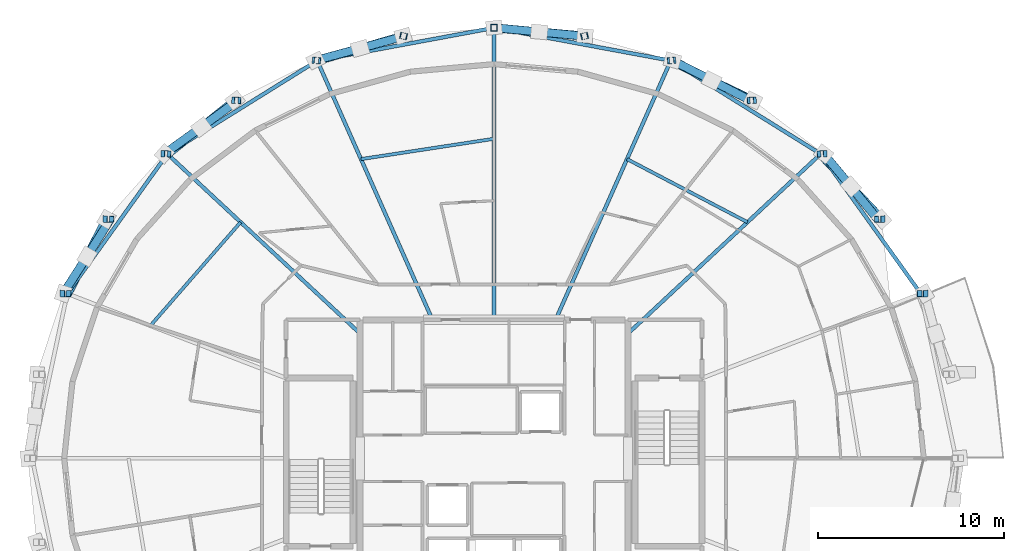
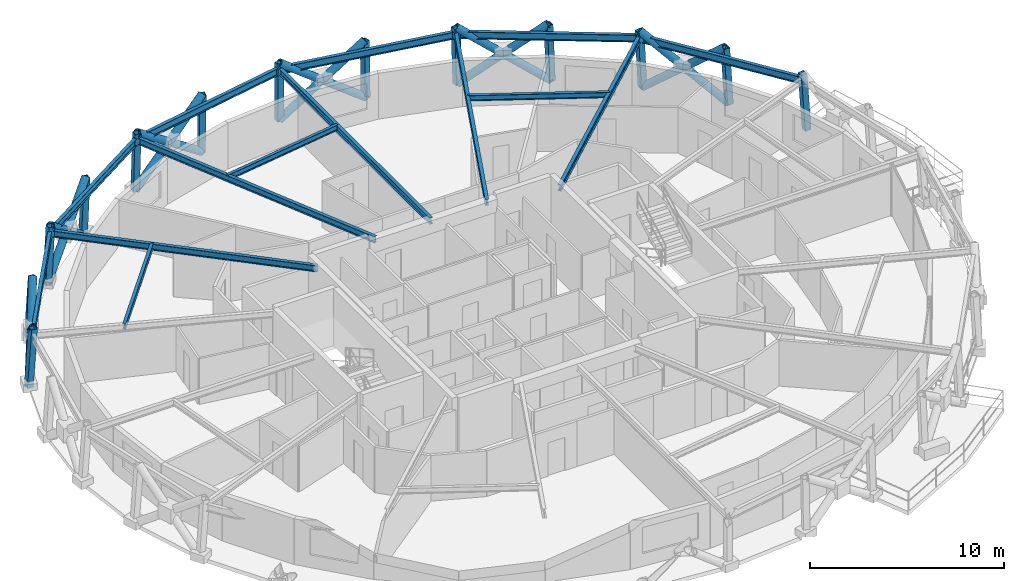
# One storey, part 5 of 12: 31 members, 14 beams.
"""IFC4 building model written with IfcOpenShell, lengths in metres."""

from ifc_helpers import new_model, si_unit, direction, frame, origin, origin_2d, place, context, subcontext, project, spatial, hollow_rectangle, hollow_circle, i_section, extrude, material, material_profile, profile_set, type_object, element, save


model = new_model("IFC4")

# Units and contexts
model_context = context("Model", 3, precision=1e-05, world=origin(), true_north=direction((0.0, 1.0)))
body_context = subcontext(model_context, "Body", "Model", "MODEL_VIEW")
ifc_project = project(units=[si_unit("LENGTHUNIT", "METRE"), si_unit("AREAUNIT", "SQUARE_METRE"), si_unit("VOLUMEUNIT", "CUBIC_METRE"), si_unit("PLANEANGLEUNIT", "RADIAN"), si_unit("MASSUNIT", "GRAM", prefix="KILO")], contexts=[model_context])

# Site, building, storey
site_placement = place(None, origin())
site = spatial("IfcSite", under=ifc_project, at=site_placement, CompositionType="ELEMENT")
building_placement = place(site_placement, origin())
building = spatial("IfcBuilding", under=site, at=building_placement, Name="Veldorina Hangang Commons", CompositionType="ELEMENT")
storey_placement = place(building_placement, frame((0.0, 0.0, 222.0)))
storey = spatial("IfcBuildingStorey", under=building, at=storey_placement, Name="L57", CompositionType="ELEMENT", Elevation=222.0)

# Beams
ifc_material = material(Name="Steel SM355-TMC", Category="steel")
ifc_material_profile_1 = material_profile(ifc_material, i_section(OverallWidth=0.199951171875, OverallDepth=0.39990234375, WebThickness=0.008056640625, FlangeThickness=0.012939453125, FilletRadius=0.012939453125, at=origin_2d()), Name="H-400x200x8x13")
ifc_profile_set_1 = profile_set([ifc_material_profile_1], Name="Steel SM355-TMC")
beam_type_1 = type_object("IfcBeamType", Name="BM-FG400", PredefinedType="BEAM", material=ifc_profile_set_1)
beam_1_placement = place(storey_placement, frame((39.199951171875, 30.709716796875, 3.159912109375), z_axis=(0.731569268762, 0.681767119333, 0.0), x_axis=(-0.681767119333, 0.731569268762, 0.0)))
element("IfcBeam", 1, at=beam_1_placement, inside=storey, type_object=beam_type_1, Name="L57 radial floor girder 03", PredefinedType="BEAM", context=body_context, shape_type="SweptSolid", body=[
    extrude(i_section(OverallWidth=0.199951171875, OverallDepth=0.39990234375, WebThickness=0.008056640625, FlangeThickness=0.012939453125, FilletRadius=0.012939453125, at=origin_2d()), origin(), (0.0, 0.0, 1.0), 14.16259765625),
])
beam_2_placement = place(storey_placement, frame((35.311279296875, 31.449951171875, 3.159912109375), z_axis=(0.406169666398, 0.913797681162, 0.0), x_axis=(-0.913797681162, 0.406169666398, 0.0)))
element("IfcBeam", 2, at=beam_2_placement, inside=storey, type_object=beam_type_1, Name="L57 radial floor girder 04", PredefinedType="BEAM", context=body_context, shape_type="SweptSolid", body=[
    extrude(i_section(OverallWidth=0.199951171875, OverallDepth=0.39990234375, WebThickness=0.008056640625, FlangeThickness=0.012939453125, FilletRadius=0.012939453125, at=origin_2d()), origin(), (0.0, 0.0, 1.0), 15.246337890625),
])
beam_3_placement = place(storey_placement, frame((32.0, 31.449951171875, 3.159912109375), z_axis=(0.0, 1.0, 0.0), x_axis=(-1.0, 0.0, 0.0)))
element("IfcBeam", 3, at=beam_3_placement, inside=storey, type_object=beam_type_1, Name="L57 radial floor girder 05", PredefinedType="BEAM", context=body_context, shape_type="SweptSolid", body=[
    extrude(i_section(OverallWidth=0.199951171875, OverallDepth=0.39990234375, WebThickness=0.008056640625, FlangeThickness=0.012939453125, FilletRadius=0.012939453125, at=origin_2d()), origin(), (0.0, 0.0, 1.0), 15.694091796875),
])
beam_4_placement = place(storey_placement, frame((28.688720703125, 31.449951171875, 3.159912109375), z_axis=(-0.406169666398, 0.913797681162, 0.0), x_axis=(-0.913797681162, -0.406169666398, 0.0)))
element("IfcBeam", 4, at=beam_4_placement, inside=storey, type_object=beam_type_1, Name="L57 radial floor girder 06", PredefinedType="BEAM", context=body_context, shape_type="SweptSolid", body=[
    extrude(i_section(OverallWidth=0.199951171875, OverallDepth=0.39990234375, WebThickness=0.008056640625, FlangeThickness=0.012939453125, FilletRadius=0.012939453125, at=origin_2d()), origin(), (0.0, 0.0, 1.0), 15.246337890625),
])
beam_5_placement = place(storey_placement, frame((24.800048828125, 30.709716796875, 3.159912109375), z_axis=(-0.731569268762, 0.681767119333, 0.0), x_axis=(-0.681767119333, -0.731569268762, 0.0)))
element("IfcBeam", 5, at=beam_5_placement, inside=storey, type_object=beam_type_1, Name="L57 radial floor girder 07", PredefinedType="BEAM", context=body_context, shape_type="SweptSolid", body=[
    extrude(i_section(OverallWidth=0.199951171875, OverallDepth=0.39990234375, WebThickness=0.008056640625, FlangeThickness=0.012939453125, FilletRadius=0.012939453125, at=origin_2d()), origin(), (0.0, 0.0, 1.0), 14.16259765625),
])
ifc_material_profile_2 = material_profile(ifc_material, i_section(OverallWidth=0.175048828125, OverallDepth=0.35009765625, WebThickness=0.007080078125, FlangeThickness=0.010986328125, FilletRadius=0.012939453125, at=origin_2d()), Name="H-350x175x7x11")
ifc_profile_set_2 = profile_set([ifc_material_profile_2], Name="Steel SM355-TMC")
beam_type_2 = type_object("IfcBeamType", Name="BM-JST350", PredefinedType="JOIST", material=ifc_profile_set_2)
beam_6_placement = place(storey_placement, frame((45.623779296875, 36.696044921875, 3.18505859375), z_axis=(-0.885759595301, 0.464144308736, 0.0), x_axis=(-0.464144308736, -0.885759595301, 0.0)))
element("IfcBeam", 6, at=beam_6_placement, inside=storey, type_object=beam_type_2, Name="L57 secondary floor joist 03", PredefinedType="JOIST", context=body_context, shape_type="SweptSolid", body=[
    extrude(i_section(OverallWidth=0.175048828125, OverallDepth=0.35009765625, WebThickness=0.007080078125, FlangeThickness=0.010986328125, FilletRadius=0.012939453125, at=origin_2d()), origin(), (0.0, 0.0, 1.0), 7.307861328125),
])
beam_7_placement = place(storey_placement, frame((32.0, 41.180419921875, 3.18505859375), z_axis=(-0.988529182855, -0.151029979286, 0.0), x_axis=(0.151029979286, -0.988529182855, 0.0)))
element("IfcBeam", 7, at=beam_7_placement, inside=storey, type_object=beam_type_2, Name="L57 secondary floor joist 05", PredefinedType="JOIST", context=body_context, shape_type="SweptSolid", body=[
    extrude(i_section(OverallWidth=0.175048828125, OverallDepth=0.35009765625, WebThickness=0.007080078125, FlangeThickness=0.010986328125, FilletRadius=0.012939453125, at=origin_2d()), origin(), (0.0, 0.0, 1.0), 7.23388671875),
])
beam_8_placement = place(storey_placement, frame((18.376220703125, 36.696044921875, 3.18505859375), z_axis=(-0.657028228542, -0.753865974096, 0.0), x_axis=(0.753865974096, -0.657028228542, 0.0)))
element("IfcBeam", 8, at=beam_8_placement, inside=storey, type_object=beam_type_2, Name="L57 secondary floor joist 07", PredefinedType="JOIST", context=body_context, shape_type="SweptSolid", body=[
    extrude(i_section(OverallWidth=0.175048828125, OverallDepth=0.35009765625, WebThickness=0.007080078125, FlangeThickness=0.010986328125, FilletRadius=0.012939453125, at=origin_2d()), origin(), (0.0, 0.0, 1.0), 7.3818359375),
])
ifc_material_profile_3 = material_profile(ifc_material, i_section(OverallWidth=0.199951171875, OverallDepth=0.449951171875, WebThickness=0.009033203125, FlangeThickness=0.013916015625, FilletRadius=0.01611328125, at=origin_2d()), Name="H-450x200x9x14")
ifc_profile_set_3 = profile_set([ifc_material_profile_3], Name="Steel SM355-TMC")
beam_type_3 = type_object("IfcBeamType", Name="BM-RB450", PredefinedType="BEAM", material=ifc_profile_set_3)
beam_9_placement = place(storey_placement, frame((54.9443359375, 32.856689453125, 3.135009765625), z_axis=(-0.582692054183, 0.812693035526, 0.0), x_axis=(-0.812693035526, -0.582692054183, 0.0)))
element("IfcBeam", 9, at=beam_9_placement, inside=storey, type_object=beam_type_3, Name="L57 perimeter hoop ring beam 02", PredefinedType="BEAM", context=body_context, shape_type="SweptSolid", body=[
    extrude(i_section(OverallWidth=0.199951171875, OverallDepth=0.449951171875, WebThickness=0.009033203125, FlangeThickness=0.013916015625, FilletRadius=0.01611328125, at=origin_2d()), origin(), (0.0, 0.0, 1.0), 9.239013671875),
])
beam_10_placement = place(storey_placement, frame((49.560791015625, 40.365234375, 3.135009765625), z_axis=(-0.848882971547, 0.528580836408, 0.0), x_axis=(-0.528580836408, -0.848882971547, 0.0)))
element("IfcBeam", 10, at=beam_10_placement, inside=storey, type_object=beam_type_3, Name="L57 perimeter hoop ring beam 04", PredefinedType="BEAM", context=body_context, shape_type="SweptSolid", body=[
    extrude(i_section(OverallWidth=0.199951171875, OverallDepth=0.449951171875, WebThickness=0.009033203125, FlangeThickness=0.013916015625, FilletRadius=0.01611328125, at=origin_2d()), origin(), (0.0, 0.0, 1.0), 9.4912109375),
])
for number, where, z_axis, x_axis, name in (
    (11, (41.50390625, 45.382080078125, 3.135009765625), (-0.983245303916, 0.182287334524, 0.0), (-0.182287334524, -0.983245303916, 0.0), "L57 perimeter hoop ring beam 06"),
    (12, (32.0, 47.14404296875, 3.135009765625), (-0.983245303916, -0.182287334524, 0.0), (0.182287334524, -0.983245303916, 0.0), "L57 perimeter hoop ring beam 08"),
):
    element("IfcBeam", number, at=place(storey_placement, frame(where, z_axis=z_axis, x_axis=x_axis)), inside=storey, type_object=beam_type_3, Name=name, PredefinedType="BEAM", context=body_context, shape_type="SweptSolid", body=[
        extrude(i_section(OverallWidth=0.199951171875, OverallDepth=0.449951171875, WebThickness=0.009033203125, FlangeThickness=0.013916015625, FilletRadius=0.01611328125, at=origin_2d()), origin(), (0.0, 0.0, 1.0), 9.665771484375),
    ])
beam_11_placement = place(storey_placement, frame((22.49609375, 45.382080078125, 3.135009765625), z_axis=(-0.848882971547, -0.528580836408, 0.0), x_axis=(0.528580836408, -0.848882971547, 0.0)))
element("IfcBeam", 13, at=beam_11_placement, inside=storey, type_object=beam_type_3, Name="L57 perimeter hoop ring beam 10", PredefinedType="BEAM", context=body_context, shape_type="SweptSolid", body=[
    extrude(i_section(OverallWidth=0.199951171875, OverallDepth=0.449951171875, WebThickness=0.009033203125, FlangeThickness=0.013916015625, FilletRadius=0.01611328125, at=origin_2d()), origin(), (0.0, 0.0, 1.0), 9.4912109375),
])
beam_12_placement = place(storey_placement, frame((14.439208984375, 40.365234375, 3.135009765625), z_axis=(-0.582692054183, -0.812693035526, 0.0), x_axis=(0.812693035526, -0.582692054183, 0.0)))
element("IfcBeam", 14, at=beam_12_placement, inside=storey, type_object=beam_type_3, Name="L57 perimeter hoop ring beam 12", PredefinedType="BEAM", context=body_context, shape_type="SweptSolid", body=[
    extrude(i_section(OverallWidth=0.199951171875, OverallDepth=0.449951171875, WebThickness=0.009033203125, FlangeThickness=0.013916015625, FilletRadius=0.01611328125, at=origin_2d()), origin(), (0.0, 0.0, 1.0), 9.239013671875),
])

# Members
ifc_material_profile_4 = material_profile(ifc_material, hollow_circle(Radius=0.22509765625, WallThickness=0.02197265625, at=origin_2d()), Name="CHS-450x22")
ifc_profile_set_4 = profile_set([ifc_material_profile_4], Name="Steel SM355-TMC")
member_type_1 = type_object("IfcMemberType", Name="DG-CHS450", PredefinedType="BRACE", material=ifc_profile_set_4)
member_1_placement = place(storey_placement, frame((52.84130859375, 36.864013671875, 0.0), z_axis=(-0.549776819627, 0.582269539463, 0.598922058379), x_axis=(-0.727103165774, -0.686528212327, 0.0)))
element("IfcMember", 15, at=member_1_placement, inside=storey, type_object=member_type_1, Name="L57 continuous perimeter diagrid brace 03", PredefinedType="BRACE", context=body_context, shape_type="SweptSolid", body=[
    extrude(hollow_circle(Radius=0.22509765625, WallThickness=0.02197265625, at=origin_2d()), origin(), (0.0, 0.0, 1.0), 6.010986328125),
])
member_2_placement = place(storey_placement, frame((49.72412109375, 40.372802734375, 0.0), z_axis=(0.50197304647, -0.602904615065, 0.620104092673), x_axis=(0.768501715481, 0.639847726652, 0.0)))
element("IfcMember", 16, at=member_2_placement, inside=storey, type_object=member_type_1, Name="L57 split perimeter diagrid lower brace 04", PredefinedType="BRACE", context=body_context, shape_type="SweptSolid", body=[
    extrude(hollow_circle(Radius=0.22509765625, WallThickness=0.02197265625, at=origin_2d()), origin(), (0.0, 0.0, 1.0), 2.909912109375),
])
member_3_placement = place(storey_placement, frame((51.184814453125, 38.618408203125, 1.804443359375), z_axis=(0.495818596815, -0.608098496671, 0.619983981566), x_axis=(0.775028401673, 0.631926401253, 0.0)))
element("IfcMember", 17, at=member_3_placement, inside=storey, type_object=member_type_1, Name="L57 split perimeter diagrid upper brace 04", PredefinedType="BRACE", context=body_context, shape_type="SweptSolid", body=[
    extrude(hollow_circle(Radius=0.22509765625, WallThickness=0.02197265625, at=origin_2d()), origin(), (0.0, 0.0, 1.0), 2.896240234375),
])
member_4_placement = place(storey_placement, frame((45.925537109375, 43.252197265625, 0.0), z_axis=(-0.727512756013, 0.349198112837, 0.590580957896), x_axis=(-0.43272300029, -0.901526929725, 0.0)))
element("IfcMember", 18, at=member_4_placement, inside=storey, type_object=member_type_1, Name="L57 continuous perimeter diagrid brace 05", PredefinedType="BRACE", context=body_context, shape_type="SweptSolid", body=[
    extrude(hollow_circle(Radius=0.22509765625, WallThickness=0.02197265625, at=origin_2d()), origin(), (0.0, 0.0, 1.0), 6.095947265625),
])
member_5_placement = place(storey_placement, frame((41.59228515625, 45.39208984375, 0.0), z_axis=(0.70800468971, -0.35999264879, 0.607564525105), x_axis=(0.453236936899, 0.891390082417, 0.0)))
element("IfcMember", 19, at=member_5_placement, inside=storey, type_object=member_type_1, Name="L57 split perimeter diagrid lower brace 06", PredefinedType="BRACE", context=body_context, shape_type="SweptSolid", body=[
    extrude(hollow_circle(Radius=0.22509765625, WallThickness=0.02197265625, at=origin_2d()), origin(), (0.0, 0.0, 1.0), 2.97509765625),
])
member_6_placement = place(storey_placement, frame((43.69873046875, 44.321044921875, 1.8076171875), z_axis=(0.705023245113, -0.365711670402, 0.607615995495), x_axis=(0.460460109718, 0.887680397079, 0.0)))
element("IfcMember", 20, at=member_6_placement, inside=storey, type_object=member_type_1, Name="L57 split perimeter diagrid upper brace 06", PredefinedType="BRACE", context=body_context, shape_type="SweptSolid", body=[
    extrude(hollow_circle(Radius=0.22509765625, WallThickness=0.02197265625, at=origin_2d()), origin(), (0.0, 0.0, 1.0), 2.949951171875),
])
member_7_placement = place(storey_placement, frame((36.889892578125, 46.709716796875, 0.0), z_axis=(-0.803254184671, 0.071065276111, 0.591381806738), x_axis=(-0.088127490574, -0.996109203554, 0.0)))
element("IfcMember", 21, at=member_7_placement, inside=storey, type_object=member_type_1, Name="L57 continuous perimeter diagrid brace 07", PredefinedType="BRACE", context=body_context, shape_type="SweptSolid", body=[
    extrude(hollow_circle(Radius=0.22509765625, WallThickness=0.02197265625, at=origin_2d()), origin(), (0.0, 0.0, 1.0), 6.087646484375),
])
member_8_placement = place(storey_placement, frame((32.0, 47.154541015625, 0.0), z_axis=(0.800043712418, -0.074848498291, 0.595254366236), x_axis=(0.093148750615, 0.995652203462, 0.0)))
element("IfcMember", 22, at=member_8_placement, inside=storey, type_object=member_type_1, Name="L57 split perimeter diagrid lower brace 08", PredefinedType="BRACE", context=body_context, shape_type="SweptSolid", body=[
    extrude(hollow_circle(Radius=0.22509765625, WallThickness=0.02197265625, at=origin_2d()), origin(), (0.0, 0.0, 1.0), 3.0400390625),
])
member_9_placement = place(storey_placement, frame((34.43212890625, 46.927001953125, 1.8095703125), z_axis=(0.799927239962, -0.076210600479, 0.595238065938), x_axis=(0.094842457836, 0.995492294391, 0.0)))
element("IfcMember", 23, at=member_9_placement, inside=storey, type_object=member_type_1, Name="L57 split perimeter diagrid upper brace 08", PredefinedType="BRACE", context=body_context, shape_type="SweptSolid", body=[
    extrude(hollow_circle(Radius=0.22509765625, WallThickness=0.02197265625, at=origin_2d()), origin(), (0.0, 0.0, 1.0), 3.008056640625),
])
member_10_placement = place(storey_placement, frame((27.110107421875, 46.709716796875, 0.0), z_axis=(-0.767934252385, -0.221802395104, 0.600899893111), x_axis=(0.27748737058, -0.960729285058, 0.0)))
element("IfcMember", 24, at=member_10_placement, inside=storey, type_object=member_type_1, Name="L57 continuous perimeter diagrid brace 09", PredefinedType="BRACE", context=body_context, shape_type="SweptSolid", body=[
    extrude(hollow_circle(Radius=0.22509765625, WallThickness=0.02197265625, at=origin_2d()), origin(), (0.0, 0.0, 1.0), 5.9912109375),
])
member_11_placement = place(storey_placement, frame((22.40771484375, 45.39208984375, 0.0), z_axis=(0.779316917147, 0.211882507757, 0.589721074369), x_axis=(-0.262358436351, 0.96497049223, 0.0)))
element("IfcMember", 25, at=member_11_placement, inside=storey, type_object=member_type_1, Name="L57 split perimeter diagrid lower brace 10", PredefinedType="BRACE", context=body_context, shape_type="SweptSolid", body=[
    extrude(hollow_circle(Radius=0.22509765625, WallThickness=0.02197265625, at=origin_2d()), origin(), (0.0, 0.0, 1.0), 3.0673828125),
])
member_12_placement = place(storey_placement, frame((24.798095703125, 46.0419921875, 1.808837890625), z_axis=(0.778179415728, 0.215906405397, 0.589763699328), x_axis=(-0.267351235409, 0.963599147429, 0.0)))
element("IfcMember", 26, at=member_12_placement, inside=storey, type_object=member_type_1, Name="L57 split perimeter diagrid upper brace 10", PredefinedType="BRACE", context=body_context, shape_type="SweptSolid", body=[
    extrude(hollow_circle(Radius=0.22509765625, WallThickness=0.02197265625, at=origin_2d()), origin(), (0.0, 0.0, 1.0), 3.037353515625),
])
member_13_placement = place(storey_placement, frame((18.074462890625, 43.252197265625, 0.0), z_axis=(-0.616202293326, -0.492845184913, 0.614327565235), x_axis=(0.624604899807, -0.780940919108, 0.0)))
element("IfcMember", 27, at=member_13_placement, inside=storey, type_object=member_type_1, Name="L57 continuous perimeter diagrid brace 11", PredefinedType="BRACE", context=body_context, shape_type="SweptSolid", body=[
    extrude(hollow_circle(Radius=0.22509765625, WallThickness=0.02197265625, at=origin_2d()), origin(), (0.0, 0.0, 1.0), 5.860107421875),
])
member_14_placement = place(storey_placement, frame((14.27587890625, 40.372802734375, 0.0), z_axis=(0.653059080121, 0.470173648369, 0.593675482272), x_axis=(-0.584281081941, 0.811551364539, 0.0)))
element("IfcMember", 28, at=member_14_placement, inside=storey, type_object=member_type_1, Name="L57 split perimeter diagrid lower brace 12", PredefinedType="BRACE", context=body_context, shape_type="SweptSolid", body=[
    extrude(hollow_circle(Radius=0.22509765625, WallThickness=0.02197265625, at=origin_2d()), origin(), (0.0, 0.0, 1.0), 3.042236328125),
])
member_15_placement = place(storey_placement, frame((16.2626953125, 41.80322265625, 1.80615234375), z_axis=(0.648407402536, 0.476344662912, 0.593854866488), x_axis=(-0.592047143833, 0.805903331349, 0.0)))
element("IfcMember", 29, at=member_15_placement, inside=storey, type_object=member_type_1, Name="L57 split perimeter diagrid upper brace 12", PredefinedType="BRACE", context=body_context, shape_type="SweptSolid", body=[
    extrude(hollow_circle(Radius=0.22509765625, WallThickness=0.02197265625, at=origin_2d()), origin(), (0.0, 0.0, 1.0), 3.020751953125),
])
member_16_placement = place(storey_placement, frame((11.15869140625, 36.864013671875, 0.0), z_axis=(-0.35890140442, -0.694369529164, 0.623731303427), x_axis=(0.888350862565, -0.459165269789, 0.0)))
element("IfcMember", 30, at=member_16_placement, inside=storey, type_object=member_type_1, Name="L57 continuous perimeter diagrid brace 13", PredefinedType="BRACE", context=body_context, shape_type="SweptSolid", body=[
    extrude(hollow_circle(Radius=0.22509765625, WallThickness=0.02197265625, at=origin_2d()), origin(), (0.0, 0.0, 1.0), 5.77197265625),
])
member_17_placement = place(storey_placement, frame((8.842529296875, 32.86083984375, 0.0), z_axis=(0.429391756504, 0.670238068189, 0.605312854148), x_axis=(-0.842020680955, 0.539445245455, 0.0)))
element("IfcMember", 31, at=member_17_placement, inside=storey, type_object=member_type_1, Name="L57 split perimeter diagrid lower brace 14", PredefinedType="BRACE", context=body_context, shape_type="SweptSolid", body=[
    extrude(hollow_circle(Radius=0.22509765625, WallThickness=0.02197265625, at=origin_2d()), origin(), (0.0, 0.0, 1.0), 2.978271484375),
])
member_18_placement = place(storey_placement, frame((10.121337890625, 34.85693359375, 1.802734375), z_axis=(0.423681636048, 0.673762353288, 0.605423952753), x_axis=(-0.846538107357, 0.532328125119, 0.0)))
element("IfcMember", 32, at=member_18_placement, inside=storey, type_object=member_type_1, Name="L57 split perimeter diagrid upper brace 14", PredefinedType="BRACE", context=body_context, shape_type="SweptSolid", body=[
    extrude(hollow_circle(Radius=0.22509765625, WallThickness=0.02197265625, at=origin_2d()), origin(), (0.0, 0.0, 1.0), 2.96875),
])
ifc_material_profile_5 = material_profile(ifc_material, hollow_rectangle(XDim=0.35009765625, YDim=0.35009765625, WallThickness=0.01611328125, at=origin_2d()), Name="SHS-350x350x16")
ifc_profile_set_5 = profile_set([ifc_material_profile_5], Name="Steel SM355-TMC")
member_type_2 = type_object("IfcMemberType", Name="STR-SHS350", PredefinedType="STRUT", material=ifc_profile_set_5)
member_19_placement = place(storey_placement, frame((55.157470703125, 32.86083984375, 0.0), z_axis=(-0.067794242006, -0.001285519559, 0.997698495634), x_axis=(0.018958667762, -0.999820268307, 0.0)))
element("IfcMember", 33, at=member_19_placement, inside=storey, type_object=member_type_2, Name="L57 perimeter ring node post 02", PredefinedType="STRUT", context=body_context, shape_type="SweptSolid", body=[
    extrude(hollow_rectangle(XDim=0.35009765625, YDim=0.35009765625, WallThickness=0.01611328125, at=origin_2d()), origin(), (0.0, 0.0, 1.0), 3.6083984375),
])
member_20_placement = place(storey_placement, frame((52.84130859375, 36.864013671875, 0.0), z_axis=(-0.061122339597, -0.001895266344, 0.998128482495), x_axis=(0.030992856002, -0.999519606049, 0.0)))
element("IfcMember", 34, at=member_20_placement, inside=storey, type_object=member_type_2, Name="L57 perimeter ring node post 03", PredefinedType="STRUT", context=body_context, shape_type="SweptSolid", body=[
    extrude(hollow_rectangle(XDim=0.35009765625, YDim=0.35009765625, WallThickness=0.01611328125, at=origin_2d()), origin(), (0.0, 0.0, 1.0), 3.60693359375),
])
member_21_placement = place(storey_placement, frame((49.72412109375, 40.372802734375, 0.0), z_axis=(-0.052011272529, -0.0024380284, 0.998643521757), x_axis=(0.046823586299, -0.99890317437, 0.0)))
element("IfcMember", 35, at=member_21_placement, inside=storey, type_object=member_type_2, Name="L57 perimeter ring node post 04", PredefinedType="STRUT", context=body_context, shape_type="SweptSolid", body=[
    extrude(hollow_rectangle(XDim=0.35009765625, YDim=0.35009765625, WallThickness=0.01611328125, at=origin_2d()), origin(), (0.0, 0.0, 1.0), 3.60498046875),
])
member_22_placement = place(storey_placement, frame((45.925537109375, 43.252197265625, 0.0), z_axis=(-0.040790495273, -0.00277809021, 0.999163859289), x_axis=(0.067948905142, -0.997688802328, 0.0)))
element("IfcMember", 36, at=member_22_placement, inside=storey, type_object=member_type_2, Name="L57 perimeter ring node post 05", PredefinedType="STRUT", context=body_context, shape_type="SweptSolid", body=[
    extrude(hollow_rectangle(XDim=0.35009765625, YDim=0.35009765625, WallThickness=0.01611328125, at=origin_2d()), origin(), (0.0, 0.0, 1.0), 3.60302734375),
])
member_23_placement = place(storey_placement, frame((41.59228515625, 45.39208984375, 0.0), z_axis=(-0.028199683821, -0.003118234269, 0.999597446199), x_axis=(0.109907033867, -0.993941871493, 0.0)))
element("IfcMember", 37, at=member_23_placement, inside=storey, type_object=member_type_2, Name="L57 perimeter ring node post 06", PredefinedType="STRUT", context=body_context, shape_type="SweptSolid", body=[
    extrude(hollow_rectangle(XDim=0.35009765625, YDim=0.35009765625, WallThickness=0.01611328125, at=origin_2d()), origin(), (0.0, 0.0, 1.0), 3.6015625),
])
member_24_placement = place(storey_placement, frame((36.889892578125, 46.709716796875, 0.0), z_axis=(-0.014307421539, -0.003322576566, 0.999892123268), x_axis=(0.22620792836, -0.97407903845, 0.0)))
element("IfcMember", 38, at=member_24_placement, inside=storey, type_object=member_type_2, Name="L57 perimeter ring node post 07", PredefinedType="STRUT", context=body_context, shape_type="SweptSolid", body=[
    extrude(hollow_rectangle(XDim=0.35009765625, YDim=0.35009765625, WallThickness=0.01611328125, at=origin_2d()), origin(), (0.0, 0.0, 1.0), 3.6005859375),
])
member_25_placement = place(storey_placement, frame((32.0, 47.154541015625, 0.0), z_axis=(0.0, -0.003390730542, 0.999994251457), x_axis=(1.0, 0.0, 0.0)))
element("IfcMember", 39, at=member_25_placement, inside=storey, type_object=member_type_2, Name="L57 perimeter ring node post 08", PredefinedType="STRUT", context=body_context, shape_type="SweptSolid", body=[
    extrude(hollow_rectangle(XDim=0.35009765625, YDim=0.35009765625, WallThickness=0.01611328125, at=origin_2d()), origin(), (0.0, 0.0, 1.0), 3.60009765625),
])
member_26_placement = place(storey_placement, frame((27.110107421875, 46.709716796875, 0.0), z_axis=(0.014307421539, -0.003322576566, 0.999892123268), x_axis=(0.22620792836, 0.97407903845, 0.0)))
element("IfcMember", 40, at=member_26_placement, inside=storey, type_object=member_type_2, Name="L57 perimeter ring node post 09", PredefinedType="STRUT", context=body_context, shape_type="SweptSolid", body=[
    extrude(hollow_rectangle(XDim=0.35009765625, YDim=0.35009765625, WallThickness=0.01611328125, at=origin_2d()), origin(), (0.0, 0.0, 1.0), 3.6005859375),
])
member_27_placement = place(storey_placement, frame((22.40771484375, 45.39208984375, 0.0), z_axis=(0.028199683821, -0.003118234269, 0.999597446199), x_axis=(0.109907033867, 0.993941871493, 0.0)))
element("IfcMember", 41, at=member_27_placement, inside=storey, type_object=member_type_2, Name="L57 perimeter ring node post 10", PredefinedType="STRUT", context=body_context, shape_type="SweptSolid", body=[
    extrude(hollow_rectangle(XDim=0.35009765625, YDim=0.35009765625, WallThickness=0.01611328125, at=origin_2d()), origin(), (0.0, 0.0, 1.0), 3.6015625),
])
member_28_placement = place(storey_placement, frame((18.074462890625, 43.252197265625, 0.0), z_axis=(0.040790495273, -0.00277809021, 0.999163859289), x_axis=(0.067948905142, 0.997688802328, 0.0)))
element("IfcMember", 42, at=member_28_placement, inside=storey, type_object=member_type_2, Name="L57 perimeter ring node post 11", PredefinedType="STRUT", context=body_context, shape_type="SweptSolid", body=[
    extrude(hollow_rectangle(XDim=0.35009765625, YDim=0.35009765625, WallThickness=0.01611328125, at=origin_2d()), origin(), (0.0, 0.0, 1.0), 3.60302734375),
])
member_29_placement = place(storey_placement, frame((14.27587890625, 40.372802734375, 0.0), z_axis=(0.052011272529, -0.0024380284, 0.998643521757), x_axis=(0.046823586299, 0.99890317437, 0.0)))
element("IfcMember", 43, at=member_29_placement, inside=storey, type_object=member_type_2, Name="L57 perimeter ring node post 12", PredefinedType="STRUT", context=body_context, shape_type="SweptSolid", body=[
    extrude(hollow_rectangle(XDim=0.35009765625, YDim=0.35009765625, WallThickness=0.01611328125, at=origin_2d()), origin(), (0.0, 0.0, 1.0), 3.60498046875),
])
member_30_placement = place(storey_placement, frame((11.15869140625, 36.864013671875, 0.0), z_axis=(0.061122339597, -0.001895266344, 0.998128482495), x_axis=(0.030992856002, 0.999519606049, 0.0)))
element("IfcMember", 44, at=member_30_placement, inside=storey, type_object=member_type_2, Name="L57 perimeter ring node post 13", PredefinedType="STRUT", context=body_context, shape_type="SweptSolid", body=[
    extrude(hollow_rectangle(XDim=0.35009765625, YDim=0.35009765625, WallThickness=0.01611328125, at=origin_2d()), origin(), (0.0, 0.0, 1.0), 3.60693359375),
])
member_31_placement = place(storey_placement, frame((8.842529296875, 32.86083984375, 0.0), z_axis=(0.067794242006, -0.001285519559, 0.997698495634), x_axis=(0.018958667762, 0.999820268307, 0.0)))
element("IfcMember", 45, at=member_31_placement, inside=storey, type_object=member_type_2, Name="L57 perimeter ring node post 14", PredefinedType="STRUT", context=body_context, shape_type="SweptSolid", body=[
    extrude(hollow_rectangle(XDim=0.35009765625, YDim=0.35009765625, WallThickness=0.01611328125, at=origin_2d()), origin(), (0.0, 0.0, 1.0), 3.6083984375),
])

save(model, "model.ifc")
